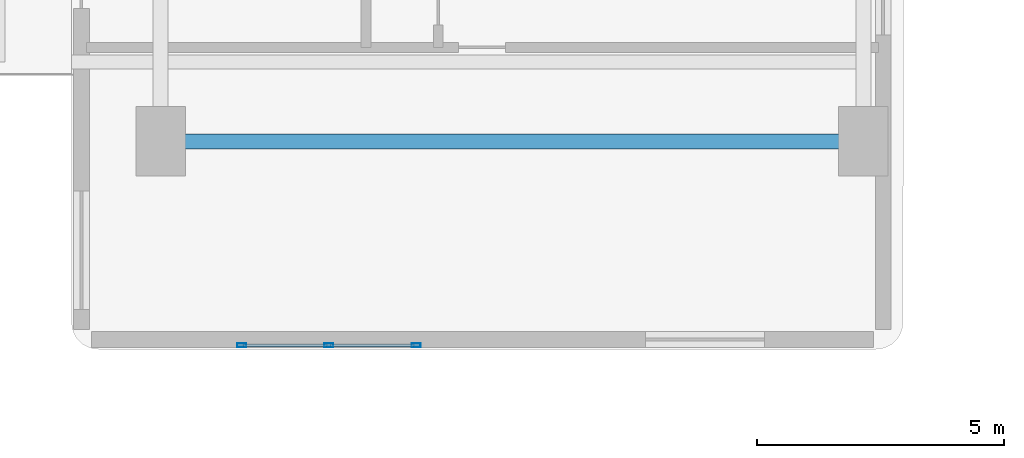
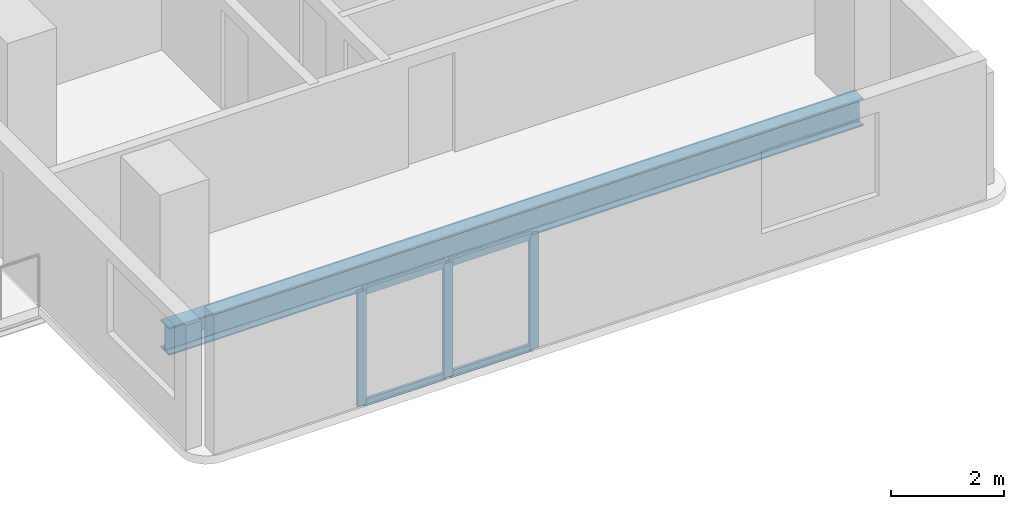
# One storey, part 2 of 17: 7 members, 1 beam, 1 element without a shape of its own.
"""IFC4 building model written with IfcOpenShell, lengths in metres."""

from ifc_helpers import new_model, si_unit, direction, frame, origin, origin_2d, place, context, subcontext, project, spatial, hollow_rectangle, i_section, extrude, material, material_profile, profile_set, type_object, element, aggregate, save


model = new_model("IFC4")

# Units and contexts
model_context = context("Model", 3, precision=1e-05, world=origin(), true_north=direction((0.0, 1.0)))
body_context = subcontext(model_context, "Body", "Model", "MODEL_VIEW")
ifc_project = project(units=[si_unit("LENGTHUNIT", "METRE"), si_unit("AREAUNIT", "SQUARE_METRE"), si_unit("VOLUMEUNIT", "CUBIC_METRE"), si_unit("PLANEANGLEUNIT", "RADIAN"), si_unit("MASSUNIT", "GRAM", prefix="KILO")], contexts=[model_context])

# Site, building, storey
site_placement = place(None, origin())
site = spatial("IfcSite", under=ifc_project, at=site_placement, CompositionType="ELEMENT")
building_placement = place(site_placement, origin())
building = spatial("IfcBuilding", under=site, at=building_placement, Name="Kuzgunbayir Cultural Tower", CompositionType="ELEMENT")
storey_placement = place(building_placement, frame((0.0, 0.0, 50.0)))
storey = spatial("IfcBuildingStorey", under=building, at=storey_placement, Name="L13", CompositionType="ELEMENT", Elevation=50.0)

# Beam
ifc_material_1 = material(Name="Steel S355J2", Category="steel")
ifc_material_profile_1 = material_profile(ifc_material_1, i_section(OverallWidth=0.300048828125, OverallDepth=0.60009765625, WebThickness=0.015380859375, FlangeThickness=0.030029296875, FilletRadius=0.027099609375, at=origin_2d()), Name="HEB 600")
ifc_profile_set_1 = profile_set([ifc_material_profile_1], Name="Steel S355J2")
beam_type = type_object("IfcBeamType", Name="BM-GIR-HEB600", PredefinedType="BEAM", material=ifc_profile_set_1)
beam_placement = place(storey_placement, frame((5.39990234375, 12.60009765625, -0.47998046875), z_axis=(1.0, 0.0, 0.0), x_axis=(0.0, 1.0, 0.0)))
element("IfcBeam", 1, at=beam_placement, inside=storey, type_object=beam_type, Name="L13 Wing A Transverse Girder 1", PredefinedType="BEAM", context=body_context, shape_type="SweptSolid", body=[
    extrude(i_section(OverallWidth=0.300048828125, OverallDepth=0.60009765625, WebThickness=0.015380859375, FlangeThickness=0.030029296875, FilletRadius=0.027099609375, at=origin_2d()), origin(), (0.0, 0.0, 1.0), 14.2001953125),
])

# Curtain wall, members
ifc_material_2 = material(Name="Anodised Aluminium Framing", Category="aluminium")
curtain_wall_type = type_object("IfcCurtainWallType", Name="CW03-T1-OFFICE", PredefinedType="NOTDEFINED", material=ifc_material_2)
curtain_wall_placement = place(storey_placement, origin())
curtain_wall = element("IfcCurtainWall", 2, at=curtain_wall_placement, inside=storey, type_object=curtain_wall_type, Name="L13 Wing A South Feature Curtain Wall", PredefinedType="NOTDEFINED")
ifc_material_profile_2 = material_profile(ifc_material_2, hollow_rectangle(XDim=0.074951171875, YDim=0.179931640625, WallThickness=0.0048828125, at=origin_2d()), Name="RHS 180x75x5")
ifc_profile_set_2 = profile_set([ifc_material_profile_2], Name="Anodised Aluminium Framing")
member_type_1 = type_object("IfcMemberType", Name="MEM-CW-MULLION-180", PredefinedType="MULLION", material=ifc_profile_set_2)
member_1_placement = place(storey_placement, frame((7.03759765625, 8.47998046875, 0.0), z_axis=(0.0, 0.0, 1.0), x_axis=(0.0, 1.0, 0.0)))
member_1 = element("IfcMember", 3, at=member_1_placement, type_object=member_type_1, Name="CW03 mullion 1", PredefinedType="MULLION", context=body_context, shape_type="SweptSolid", body=[
    extrude(hollow_rectangle(XDim=0.074951171875, YDim=0.179931640625, WallThickness=0.0048828125, at=origin_2d()), origin(), (0.0, 0.0, 1.0), 2.469970703125),
])
member_2_placement = place(storey_placement, frame((8.800048828125, 8.47998046875, 0.0), z_axis=(0.0, 0.0, 1.0), x_axis=(0.0, 1.0, 0.0)))
member_2 = element("IfcMember", 4, at=member_2_placement, type_object=member_type_1, Name="CW03 mullion 2", PredefinedType="MULLION", context=body_context, shape_type="SweptSolid", body=[
    extrude(hollow_rectangle(XDim=0.074951171875, YDim=0.179931640625, WallThickness=0.0048828125, at=origin_2d()), origin(), (0.0, 0.0, 1.0), 2.469970703125),
])
member_3_placement = place(storey_placement, frame((10.5625, 8.47998046875, 0.0), z_axis=(0.0, 0.0, 1.0), x_axis=(0.0, 1.0, 0.0)))
member_3 = element("IfcMember", 5, at=member_3_placement, type_object=member_type_1, Name="CW03 mullion 3", PredefinedType="MULLION", context=body_context, shape_type="SweptSolid", body=[
    extrude(hollow_rectangle(XDim=0.074951171875, YDim=0.179931640625, WallThickness=0.0048828125, at=origin_2d()), origin(), (0.0, 0.0, 1.0), 2.469970703125),
])
ifc_material_profile_3 = material_profile(ifc_material_2, hollow_rectangle(XDim=0.06005859375, YDim=0.14990234375, WallThickness=0.00390625, at=origin_2d()), Name="RHS 150x60x4")
ifc_profile_set_3 = profile_set([ifc_material_profile_3], Name="Anodised Aluminium Framing")
member_type_2 = type_object("IfcMemberType", Name="MEM-CW-TRANSOM-150", PredefinedType="USERDEFINED", material=ifc_profile_set_3)
member_4_placement = place(storey_placement, frame((7.074951171875, 8.47998046875, 0.030029296875), z_axis=(1.0, 0.0, 0.0), x_axis=(0.0, 1.0, 0.0)))
member_4 = element("IfcMember", 6, at=member_4_placement, type_object=member_type_2, Name="CW03 transom 1.1", ObjectType="TRANSOM", PredefinedType="USERDEFINED", context=body_context, shape_type="SweptSolid", body=[
    extrude(hollow_rectangle(XDim=0.06005859375, YDim=0.14990234375, WallThickness=0.00390625, at=origin_2d()), origin(), (0.0, 0.0, 1.0), 1.6875),
])
member_5_placement = place(storey_placement, frame((7.074951171875, 8.47998046875, 2.43994140625), z_axis=(1.0, 0.0, 0.0), x_axis=(0.0, 1.0, 0.0)))
member_5 = element("IfcMember", 7, at=member_5_placement, type_object=member_type_2, Name="CW03 transom 1.2", ObjectType="TRANSOM", PredefinedType="USERDEFINED", context=body_context, shape_type="SweptSolid", body=[
    extrude(hollow_rectangle(XDim=0.06005859375, YDim=0.14990234375, WallThickness=0.00390625, at=origin_2d()), origin(), (0.0, 0.0, 1.0), 1.6875),
])
member_6_placement = place(storey_placement, frame((8.83740234375, 8.47998046875, 0.030029296875), z_axis=(1.0, 0.0, 0.0), x_axis=(0.0, 1.0, 0.0)))
member_6 = element("IfcMember", 8, at=member_6_placement, type_object=member_type_2, Name="CW03 transom 2.1", ObjectType="TRANSOM", PredefinedType="USERDEFINED", context=body_context, shape_type="SweptSolid", body=[
    extrude(hollow_rectangle(XDim=0.06005859375, YDim=0.14990234375, WallThickness=0.00390625, at=origin_2d()), origin(), (0.0, 0.0, 1.0), 1.6875),
])
member_7_placement = place(storey_placement, frame((8.83740234375, 8.47998046875, 2.43994140625), z_axis=(1.0, 0.0, 0.0), x_axis=(0.0, 1.0, 0.0)))
member_7 = element("IfcMember", 9, at=member_7_placement, type_object=member_type_2, Name="CW03 transom 2.2", ObjectType="TRANSOM", PredefinedType="USERDEFINED", context=body_context, shape_type="SweptSolid", body=[
    extrude(hollow_rectangle(XDim=0.06005859375, YDim=0.14990234375, WallThickness=0.00390625, at=origin_2d()), origin(), (0.0, 0.0, 1.0), 1.6875),
])
aggregate(curtain_wall, [member_1, member_2, member_3, member_4, member_5, member_6, member_7])

save(model, "model.ifc")
